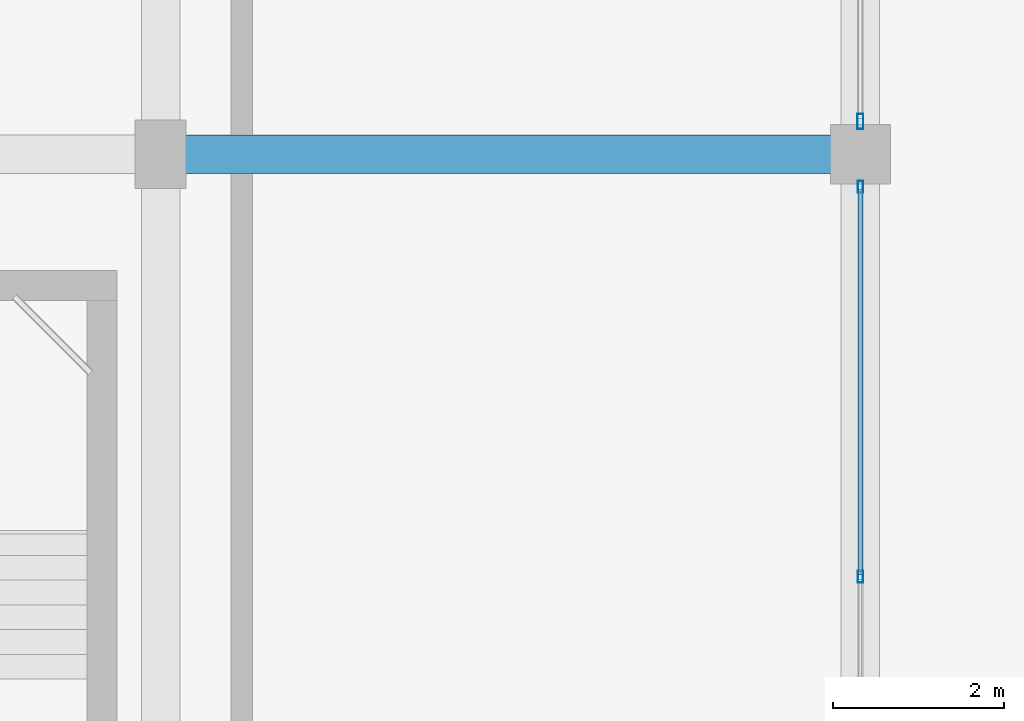
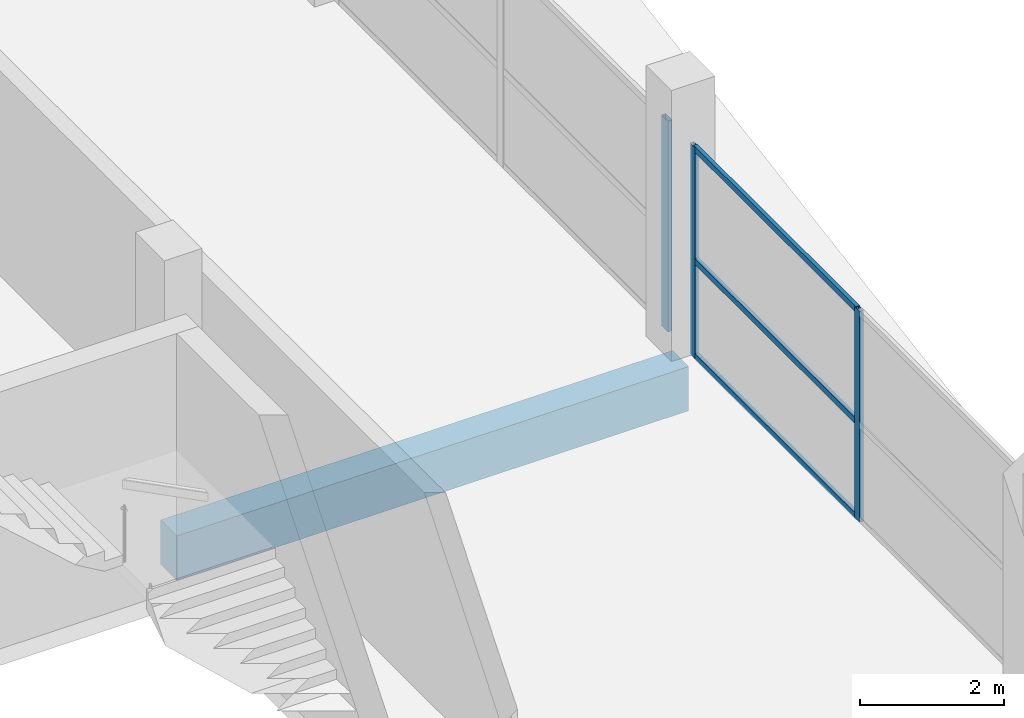
# One storey, part 25 of 58: 6 members, 1 beam, 2 elements without a shape of their own.
"""IFC4 building model written with IfcOpenShell, lengths in metres."""

from ifc_helpers import new_model, si_unit, direction, frame, origin, origin_2d, place, context, subcontext, project, spatial, rectangle, hollow_rectangle, extrude, material, layer, layer_set, material_profile, profile_set, type_object, element, aggregate, save


model = new_model("IFC4")

# Units and contexts
model_context = context("Model", 3, precision=1e-05, world=origin(), true_north=direction((0.0, 1.0)))
body_context = subcontext(model_context, "Body", "Model", "MODEL_VIEW")
ifc_project = project(units=[si_unit("LENGTHUNIT", "METRE"), si_unit("AREAUNIT", "SQUARE_METRE"), si_unit("VOLUMEUNIT", "CUBIC_METRE"), si_unit("PLANEANGLEUNIT", "RADIAN"), si_unit("MASSUNIT", "GRAM", prefix="KILO")], contexts=[model_context])

# Site, building, storey
site_placement = place(None, origin())
site = spatial("IfcSite", under=ifc_project, at=site_placement, CompositionType="ELEMENT")
building_placement = place(site_placement, origin())
building = spatial("IfcBuilding", under=site, at=building_placement, Name="Sillaruma Civic Art Gallery", CompositionType="ELEMENT")
storey_placement = place(building_placement, frame((0.0, 0.0, 28.56005859375)))
storey = spatial("IfcBuildingStorey", under=building, at=storey_placement, Name="L05", CompositionType="ELEMENT", Elevation=28.56005859375)

# Beam
ifc_material_1 = material(Name="Concrete H40 (40 MPa)", Category="concrete")
ifc_material_profile_1 = material_profile(ifc_material_1, rectangle(XDim=0.449951171875, YDim=0.75, at=origin_2d()), Name="RCB450x750")
ifc_profile_set_1 = profile_set([ifc_material_profile_1], Name="Concrete H40 (40 MPa)")
beam_type = type_object("IfcBeamType", Name="BM-BEAM-RCB450x750", PredefinedType="BEAM", material=ifc_profile_set_1)
beam_placement = place(storey_placement, frame((106.199951171875, 59.39990234375, -0.655029296875), z_axis=(1.0, 0.0, 0.0), x_axis=(0.0, 1.0, 0.0)))
element("IfcBeam", 1, at=beam_placement, inside=storey, type_object=beam_type, Name="Beam BM-03 (L04:7:M-N)", PredefinedType="BEAM", context=body_context, shape_type="SweptSolid", body=[
    extrude(rectangle(XDim=0.449951171875, YDim=0.75, at=origin_2d()), origin(), (0.0, 0.0, 1.0), 8.199951171875),
])

# Curtain wall, members
ifc_material_2 = material(Name="Thermally Broken Extruded Aluminium 6063-T6", Category="aluminium")
ifc_layer_1 = layer(ifc_material_2, 0.139892578125, Name="Thermally Broken Extruded Aluminium 6063-T6")
ifc_layer_set_1 = layer_set([ifc_layer_1], Name="Thermally Broken Extruded Aluminium 6063-T6")
curtain_wall_type_1 = type_object("IfcCurtainWallType", Name="CW-UNI-32", PredefinedType="NOTDEFINED", material=ifc_layer_set_1)
curtain_wall_1_placement = place(storey_placement, origin())
curtain_wall_1 = element("IfcCurtainWall", 2, at=curtain_wall_1_placement, inside=storey, type_object=curtain_wall_type_1, Name="Unitised Curtain Wall CW-32 (CW-L05-E-4)", PredefinedType="NOTDEFINED")
ifc_material_profile_2 = material_profile(ifc_material_2, hollow_rectangle(XDim=0.06005859375, YDim=0.139892578125, WallThickness=0.00341796875, at=origin_2d()), Name="CWM60x140")
ifc_profile_set_2 = profile_set([ifc_material_profile_2], Name="Thermally Broken Extruded Aluminium 6063-T6")
member_type_1 = type_object("IfcMemberType", Name="MEM-MUL-CWM60x140", PredefinedType="MULLION", material=ifc_profile_set_2)
member_1_placement = place(storey_placement, frame((114.39990234375, 54.449951171875, 0.0), z_axis=(0.0, 0.0, 1.0), x_axis=(-1.0, 0.0, 0.0)))
member_1 = element("IfcMember", 3, at=member_1_placement, type_object=member_type_1, Name="CW-32 mullion 2", PredefinedType="MULLION", context=body_context, shape_type="SweptSolid", body=[
    extrude(hollow_rectangle(XDim=0.06005859375, YDim=0.139892578125, WallThickness=0.00341796875, at=origin_2d()), origin(), (0.0, 0.0, 1.0), 3.56982421875),
])
member_2_placement = place(storey_placement, frame((114.39990234375, 59.02001953125, 0.0), z_axis=(0.0, 0.0, 1.0), x_axis=(-1.0, 0.0, 0.0)))
member_2 = element("IfcMember", 4, at=member_2_placement, type_object=member_type_1, Name="CW-32 mullion 3", PredefinedType="MULLION", context=body_context, shape_type="SweptSolid", body=[
    extrude(hollow_rectangle(XDim=0.06005859375, YDim=0.139892578125, WallThickness=0.00341796875, at=origin_2d()), origin(), (0.0, 0.0, 1.0), 3.56982421875),
])

# Curtain wall, member
ifc_layer_2 = layer(ifc_material_2, 0.179931640625, Name="Thermally Broken Extruded Aluminium 6063-T6")
ifc_layer_set_2 = layer_set([ifc_layer_2], Name="Thermally Broken Extruded Aluminium 6063-T6")
curtain_wall_type_2 = type_object("IfcCurtainWallType", Name="CW-UNI-34", PredefinedType="NOTDEFINED", material=ifc_layer_set_2)
curtain_wall_2_placement = place(storey_placement, origin())
curtain_wall_2 = element("IfcCurtainWall", 5, at=curtain_wall_2_placement, inside=storey, type_object=curtain_wall_type_2, Name="Unitised Curtain Wall CW-34 (CW-L05-E-5)", PredefinedType="NOTDEFINED")
ifc_material_profile_3 = material_profile(ifc_material_2, hollow_rectangle(XDim=0.070068359375, YDim=0.179931640625, WallThickness=0.00390625, at=origin_2d()), Name="CWM70x180")
ifc_profile_set_3 = profile_set([ifc_material_profile_3], Name="Thermally Broken Extruded Aluminium 6063-T6")
member_type_2 = type_object("IfcMemberType", Name="MEM-MUL-CWM70x180", PredefinedType="MULLION", material=ifc_profile_set_3)
member_3_placement = place(storey_placement, frame((114.39990234375, 59.784912109375, 0.0), z_axis=(0.0, 0.0, 1.0), x_axis=(-1.0, 0.0, 0.0)))
member_3 = element("IfcMember", 6, at=member_3_placement, type_object=member_type_2, Name="CW-34 mullion 1", PredefinedType="MULLION", context=body_context, shape_type="SweptSolid", body=[
    extrude(hollow_rectangle(XDim=0.070068359375, YDim=0.179931640625, WallThickness=0.00390625, at=origin_2d()), origin(), (0.0, 0.0, 1.0), 3.56982421875),
])
aggregate(curtain_wall_2, [member_3])

# Member
ifc_material_profile_4 = material_profile(ifc_material_2, hollow_rectangle(XDim=0.06005859375, YDim=0.10009765625, WallThickness=0.003173828125, at=origin_2d()), Name="CWT60x100")
ifc_profile_set_4 = profile_set([ifc_material_profile_4], Name="Thermally Broken Extruded Aluminium 6063-T6")
member_type_3 = type_object("IfcMemberType", Name="MEM-TRN-CWT60x100", PredefinedType="USERDEFINED", material=ifc_profile_set_4)
member_4_placement = place(storey_placement, frame((114.39990234375, 54.47998046875, 0.030029296875), z_axis=(0.0, 1.0, 0.0), x_axis=(-1.0, 0.0, 0.0)))
member_4 = element("IfcMember", 7, at=member_4_placement, type_object=member_type_3, Name="CW-32 transom 2.1", ObjectType="TRANSOM", PredefinedType="USERDEFINED", context=body_context, shape_type="SweptSolid", body=[
    extrude(hollow_rectangle(XDim=0.06005859375, YDim=0.10009765625, WallThickness=0.003173828125, at=origin_2d()), origin(), (0.0, 0.0, 1.0), 4.510009765625),
])

member_5_placement = place(storey_placement, frame((114.39990234375, 54.47998046875, 1.64208984375), z_axis=(0.0, 1.0, 0.0), x_axis=(-1.0, 0.0, 0.0)))
member_5 = element("IfcMember", 8, at=member_5_placement, type_object=member_type_3, Name="CW-32 transom 2.2", ObjectType="TRANSOM", PredefinedType="USERDEFINED", context=body_context, shape_type="SweptSolid", body=[
    extrude(hollow_rectangle(XDim=0.06005859375, YDim=0.10009765625, WallThickness=0.003173828125, at=origin_2d()), origin(), (0.0, 0.0, 1.0), 4.510009765625),
])

member_6_placement = place(storey_placement, frame((114.39990234375, 54.47998046875, 3.5400390625), z_axis=(0.0, 1.0, 0.0), x_axis=(-1.0, 0.0, 0.0)))
member_6 = element("IfcMember", 9, at=member_6_placement, type_object=member_type_3, Name="CW-32 transom 2.3", ObjectType="TRANSOM", PredefinedType="USERDEFINED", context=body_context, shape_type="SweptSolid", body=[
    extrude(hollow_rectangle(XDim=0.06005859375, YDim=0.10009765625, WallThickness=0.003173828125, at=origin_2d()), origin(), (0.0, 0.0, 1.0), 4.510009765625),
])

aggregate(curtain_wall_1, [member_1, member_2, member_4, member_5, member_6])

save(model, "model.ifc")
